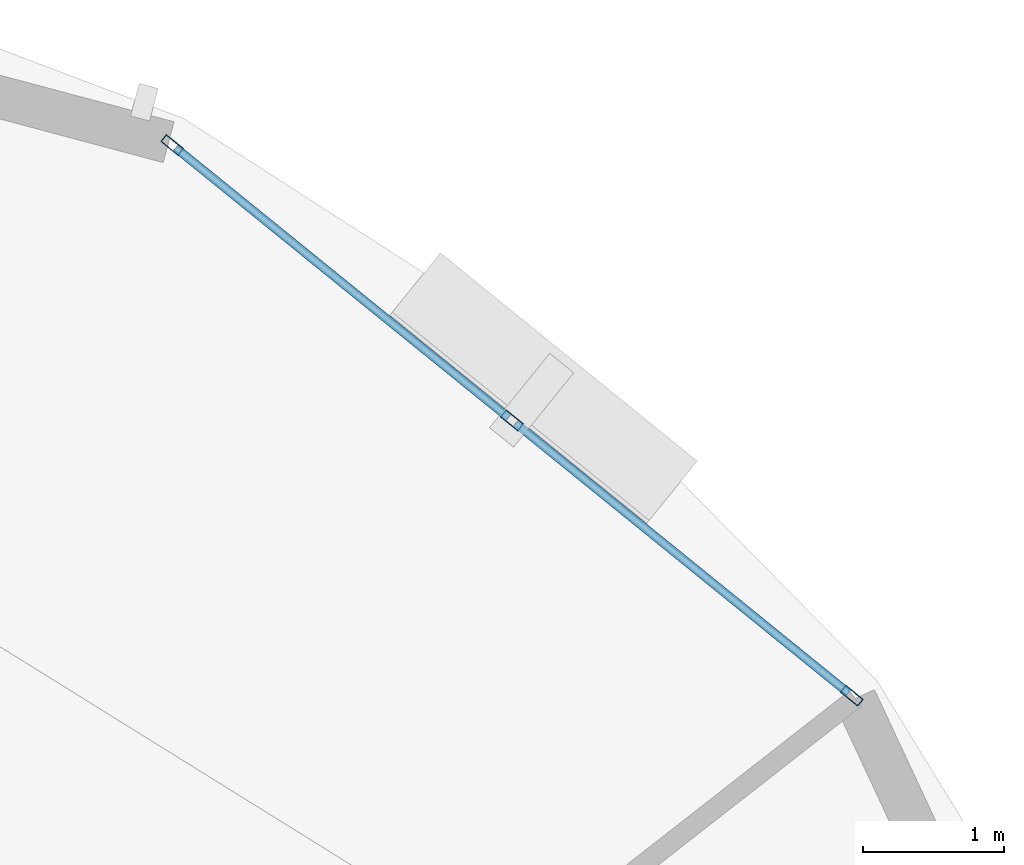
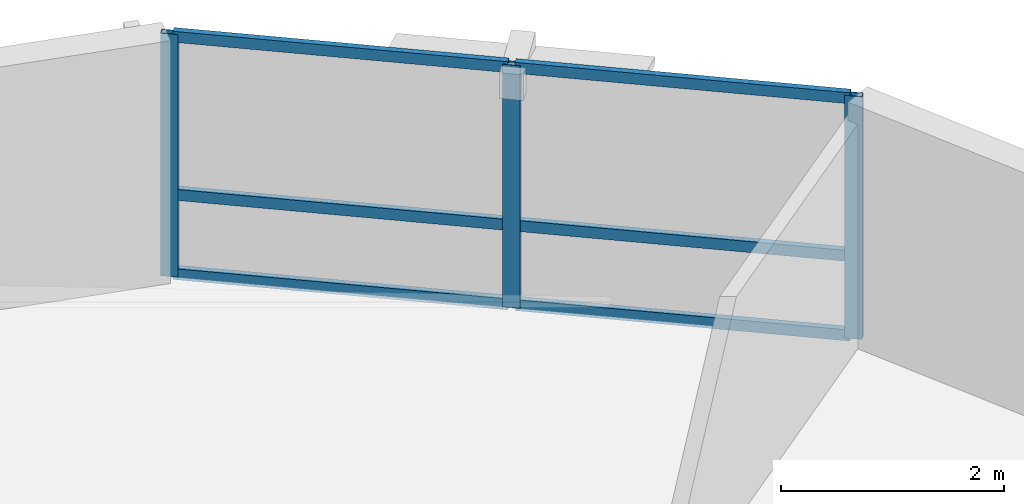
# One storey, part 6 of 12: 9 members, 1 element without a shape of its own.
"""IFC4 building model written with IfcOpenShell, lengths in metres."""

from ifc_helpers import new_model, si_unit, direction, frame, origin, origin_2d, place, context, subcontext, project, spatial, hollow_rectangle, extrude, material, layer, layer_set, material_profile, profile_set, type_object, element, aggregate, save


model = new_model("IFC4")

# Units and contexts
model_context = context("Model", 3, precision=1e-05, world=origin(), true_north=direction((0.0, 1.0)))
body_context = subcontext(model_context, "Body", "Model", "MODEL_VIEW")
ifc_project = project(units=[si_unit("LENGTHUNIT", "METRE"), si_unit("AREAUNIT", "SQUARE_METRE"), si_unit("VOLUMEUNIT", "CUBIC_METRE"), si_unit("PLANEANGLEUNIT", "RADIAN"), si_unit("MASSUNIT", "GRAM", prefix="KILO"), si_unit("THERMODYNAMICTEMPERATUREUNIT", "KELVIN"), si_unit("POWERUNIT", "WATT")], contexts=[model_context])

# Site, building, storey
site_placement = place(None, origin())
site = spatial("IfcSite", under=ifc_project, at=site_placement, CompositionType="ELEMENT")
building_placement = place(site_placement, origin())
building = spatial("IfcBuilding", under=site, at=building_placement, Name="Ocrelia Relay Tower", CompositionType="ELEMENT")
storey_placement = place(building_placement, frame((0.0, 0.0, 191.60009765625)))
storey = spatial("IfcBuildingStorey", under=building, at=storey_placement, Name="L46", CompositionType="ELEMENT", Elevation=191.60009765625)

# Curtain wall, members
ifc_material_1 = material(Name="Aluminium and solar-control low-E glass", Category="aluminium")
ifc_layer = layer(ifc_material_1, 0.179931640625, Name="Aluminium and solar-control low-E glass")
ifc_layer_set = layer_set([ifc_layer], Name="Aluminium and solar-control low-E glass")
curtain_wall_type = type_object("IfcCurtainWallType", Name="CW-SYS-Z3-CLOU", PredefinedType="NOTDEFINED", material=ifc_layer_set)
curtain_wall_placement = place(storey_placement, origin())
curtain_wall = element("IfcCurtainWall", 1, at=curtain_wall_placement, inside=storey, type_object=curtain_wall_type, Name="L46 Elliptical Tower Curtain Wall Bay 01", PredefinedType="NOTDEFINED")
ifc_material_2 = material(Name="Anodised bronze aluminium", Category="aluminium")
ifc_material_profile_1 = material_profile(ifc_material_2, hollow_rectangle(XDim=0.06494140625, YDim=0.159912109375, WallThickness=0.0048828125, at=origin_2d()), Name="CW-MUL-160x65")
ifc_profile_set_1 = profile_set([ifc_material_profile_1], Name="Anodised bronze aluminium")
member_type_1 = type_object("IfcMemberType", Name="CW-SYS-Z3-CLOU-MUL", PredefinedType="MULLION", material=ifc_profile_set_1)
member_1_placement = place(storey_placement, frame((52.414306640625, 40.427001953125, 0.0), z_axis=(0.0, 0.0, 1.0), x_axis=(-0.629580019644, -0.776935646541, 0.0)))
member_1 = element("IfcMember", 2, at=member_1_placement, type_object=member_type_1, Name="CW-Z3 mullion 1", PredefinedType="MULLION", context=body_context, shape_type="SweptSolid", body=[
    extrude(hollow_rectangle(XDim=0.06494140625, YDim=0.159912109375, WallThickness=0.0048828125, at=origin_2d()), origin(), (0.0, 0.0, 1.0), 2.659912109375),
])
member_2_placement = place(storey_placement, frame((49.998779296875, 42.38427734375, 0.0), z_axis=(0.0, 0.0, 1.0), x_axis=(-0.629580019644, -0.776935646541, 0.0)))
member_2 = element("IfcMember", 3, at=member_2_placement, type_object=member_type_1, Name="CW-Z3 mullion 2", PredefinedType="MULLION", context=body_context, shape_type="SweptSolid", body=[
    extrude(hollow_rectangle(XDim=0.06494140625, YDim=0.159912109375, WallThickness=0.0048828125, at=origin_2d()), origin(), (0.0, 0.0, 1.0), 2.659912109375),
])
member_3_placement = place(storey_placement, frame((47.58349609375, 44.341552734375, 0.0), z_axis=(0.0, 0.0, 1.0), x_axis=(-0.629580019644, -0.776935646541, 0.0)))
member_3 = element("IfcMember", 4, at=member_3_placement, type_object=member_type_1, Name="CW-Z3 mullion 3", PredefinedType="MULLION", context=body_context, shape_type="SweptSolid", body=[
    extrude(hollow_rectangle(XDim=0.06494140625, YDim=0.159912109375, WallThickness=0.0048828125, at=origin_2d()), origin(), (0.0, 0.0, 1.0), 2.659912109375),
])
ifc_material_profile_2 = material_profile(ifc_material_2, hollow_rectangle(XDim=0.06005859375, YDim=0.1201171875, WallThickness=0.0048828125, at=origin_2d()), Name="CW-TRN-120x60")
ifc_profile_set_2 = profile_set([ifc_material_profile_2], Name="Anodised bronze aluminium")
member_type_2 = type_object("IfcMemberType", Name="CW-SYS-Z3-CLOU-TRN", PredefinedType="USERDEFINED", material=ifc_profile_set_2)
member_4_placement = place(storey_placement, frame((52.388916015625, 40.447509765625, 0.02978515625), z_axis=(-0.776932827661, 0.629583498277, 0.0), x_axis=(-0.629583498277, -0.776932827661, 0.0)))
member_4 = element("IfcMember", 5, at=member_4_placement, type_object=member_type_2, Name="CW-Z3 transom 1.1", ObjectType="TRANSOM", PredefinedType="USERDEFINED", context=body_context, shape_type="SweptSolid", body=[
    extrude(hollow_rectangle(XDim=0.06005859375, YDim=0.1201171875, WallThickness=0.0048828125, at=origin_2d()), origin(), (0.0, 0.0, 1.0), 3.043701171875),
])
member_5_placement = place(storey_placement, frame((52.388916015625, 40.447509765625, 0.89990234375), z_axis=(-0.776932827661, 0.629583498277, 0.0), x_axis=(-0.629583498277, -0.776932827661, 0.0)))
member_5 = element("IfcMember", 6, at=member_5_placement, type_object=member_type_2, Name="CW-Z3 transom 1.2", ObjectType="TRANSOM", PredefinedType="USERDEFINED", context=body_context, shape_type="SweptSolid", body=[
    extrude(hollow_rectangle(XDim=0.06005859375, YDim=0.1201171875, WallThickness=0.0048828125, at=origin_2d()), origin(), (0.0, 0.0, 1.0), 3.043701171875),
])
member_6_placement = place(storey_placement, frame((52.388916015625, 40.447509765625, 2.6298828125), z_axis=(-0.776932827661, 0.629583498277, 0.0), x_axis=(-0.629583498277, -0.776932827661, 0.0)))
member_6 = element("IfcMember", 7, at=member_6_placement, type_object=member_type_2, Name="CW-Z3 transom 1.3", ObjectType="TRANSOM", PredefinedType="USERDEFINED", context=body_context, shape_type="SweptSolid", body=[
    extrude(hollow_rectangle(XDim=0.06005859375, YDim=0.1201171875, WallThickness=0.0048828125, at=origin_2d()), origin(), (0.0, 0.0, 1.0), 3.043701171875),
])
member_7_placement = place(storey_placement, frame((49.9736328125, 42.40478515625, 0.02978515625), z_axis=(-0.776964618726, 0.629544264724, 0.0), x_axis=(-0.629544264724, -0.776964618726, 0.0)))
member_7 = element("IfcMember", 8, at=member_7_placement, type_object=member_type_2, Name="CW-Z3 transom 2.1", ObjectType="TRANSOM", PredefinedType="USERDEFINED", context=body_context, shape_type="SweptSolid", body=[
    extrude(hollow_rectangle(XDim=0.06005859375, YDim=0.1201171875, WallThickness=0.0048828125, at=origin_2d()), origin(), (0.0, 0.0, 1.0), 3.0439453125),
])
member_8_placement = place(storey_placement, frame((49.9736328125, 42.40478515625, 0.89990234375), z_axis=(-0.776964618726, 0.629544264724, 0.0), x_axis=(-0.629544264724, -0.776964618726, 0.0)))
member_8 = element("IfcMember", 9, at=member_8_placement, type_object=member_type_2, Name="CW-Z3 transom 2.2", ObjectType="TRANSOM", PredefinedType="USERDEFINED", context=body_context, shape_type="SweptSolid", body=[
    extrude(hollow_rectangle(XDim=0.06005859375, YDim=0.1201171875, WallThickness=0.0048828125, at=origin_2d()), origin(), (0.0, 0.0, 1.0), 3.0439453125),
])
member_9_placement = place(storey_placement, frame((49.9736328125, 42.40478515625, 2.6298828125), z_axis=(-0.776964618726, 0.629544264724, 0.0), x_axis=(-0.629544264724, -0.776964618726, 0.0)))
member_9 = element("IfcMember", 10, at=member_9_placement, type_object=member_type_2, Name="CW-Z3 transom 2.3", ObjectType="TRANSOM", PredefinedType="USERDEFINED", context=body_context, shape_type="SweptSolid", body=[
    extrude(hollow_rectangle(XDim=0.06005859375, YDim=0.1201171875, WallThickness=0.0048828125, at=origin_2d()), origin(), (0.0, 0.0, 1.0), 3.0439453125),
])
aggregate(curtain_wall, [member_1, member_2, member_3, member_4, member_5, member_6, member_7, member_8, member_9])

save(model, "model.ifc")
